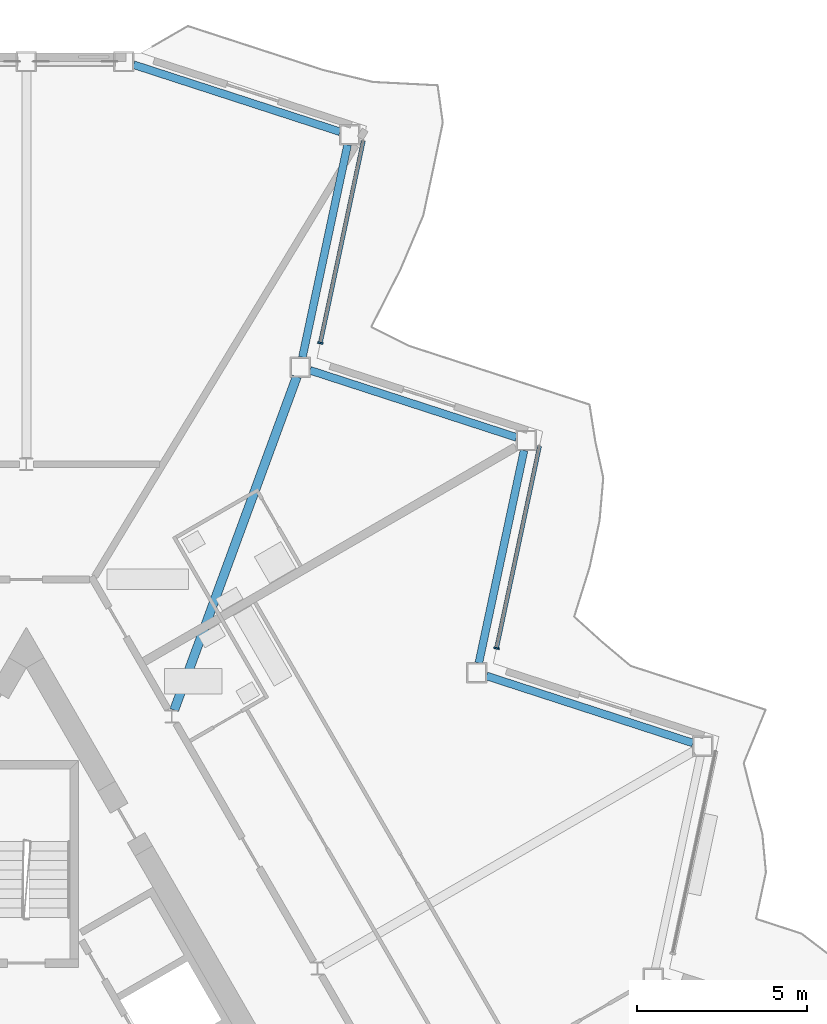
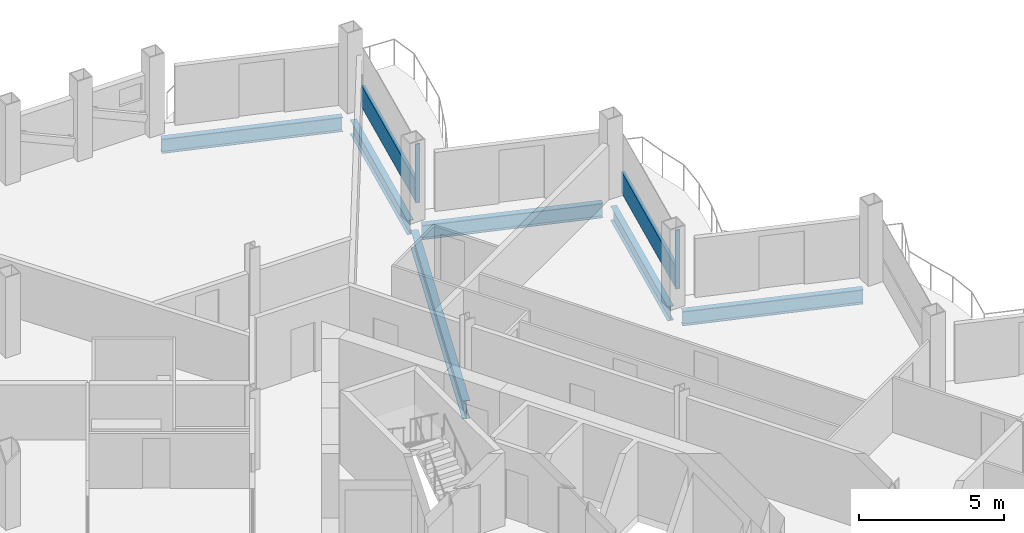
# One storey, part 11 of 27: 6 beams, 4 members, 2 elements without a shape of their own.
"""IFC4 building model written with IfcOpenShell, lengths in metres."""

import ifcopenshell
import ifcopenshell.guid

model = None  # the IFC model being written
_history = None  # IfcOwnerHistory: only IFC2X3 demands one
_inside = {}  # id of a spatial element -> (the spatial element, [elements in it])
_under = {}  # id of a project, library or spatial element -> (it, [spatial elements below it])
_declared = {}  # id of a project -> (the project, [libraries it declares])
_typed = {}  # id of a type object -> (the type object, [elements of that type])
_made_of = {}  # id of a material, layer set ... -> (it, [elements and type objects made of it])


def new_model(schema):
    """Start an empty IFC model of exactly this schema.

    Asked for "IFC4X3", IfcOpenShell would pick the latest addendum, in which some entities
    have other attributes; the version numbers below select the first issue.
    IFC2X3 requires an IfcOwnerHistory on every rooted entity: one is made here for all.
    """
    global model, _history
    if schema == "IFC4X3":
        model = ifcopenshell.file(schema_version=(4, 3, 0, 0))
    else:
        model = ifcopenshell.file(schema=schema)
    _inside.clear()
    _under.clear()
    _declared.clear()
    _typed.clear()
    _made_of.clear()
    _history = None
    if model.schema == "IFC2X3":
        org = make("IfcOrganization", Name="unknown")
        user = make(
            "IfcPersonAndOrganization",
            ThePerson=make("IfcPerson", FamilyName="unknown"),
            TheOrganization=org,
        )
        app = make(
            "IfcApplication",
            ApplicationDeveloper=org,
            Version="unknown",
            ApplicationFullName="unknown",
            ApplicationIdentifier="unknown",
        )
        _history = make(
            "IfcOwnerHistory",
            OwningUser=user,
            OwningApplication=app,
            ChangeAction="ADDED",
            CreationDate=0,
        )
    return model


def make(cls, **values):
    """One entity of the class cls with the attributes given. An attribute that is None is left unset."""
    return model.create_entity(
        cls, **{name: value for name, value in values.items() if value is not None}
    )


def rooted(cls, **values):
    """An entity with a GlobalId (a new one), such as an element, a storey or a relation."""
    return make(cls, GlobalId=ifcopenshell.guid.new(), OwnerHistory=_history, **values)


def si_unit(unit_type, name, prefix=None):
    """IfcSIUnit, for example si_unit("LENGTHUNIT", "METRE", prefix="MILLI")."""
    return make("IfcSIUnit", UnitType=unit_type, Prefix=prefix, Name=name)


def assignment(units):
    """IfcUnitAssignment: the units of a project."""
    return None if units is None else make("IfcUnitAssignment", Units=units)


def point(xyz):
    """IfcCartesianPoint."""
    return None if xyz is None else make("IfcCartesianPoint", Coordinates=xyz)


def direction(xyz):
    """IfcDirection."""
    return None if xyz is None else make("IfcDirection", DirectionRatios=xyz)


def frame(location, z_axis=None, x_axis=None):
    """IfcAxis2Placement3D, a coordinate frame: its origin and axes. An axis left out is left unset."""
    return make(
        "IfcAxis2Placement3D",
        Location=point(location),
        Axis=direction(z_axis),
        RefDirection=direction(x_axis),
    )


def frame_2d(location, x_axis=None):
    """IfcAxis2Placement2D, a coordinate frame in the plane: its origin and x axis."""
    return make(
        "IfcAxis2Placement2D", Location=point(location), RefDirection=direction(x_axis)
    )


def origin():
    """The frame at (0, 0, 0) with its axes left unset."""
    return frame((0.0, 0.0, 0.0))


def origin_2d():
    """The frame at (0, 0) in the plane with its x axis left unset."""
    return frame_2d((0.0, 0.0))


def place(relative_to, where):
    """IfcLocalPlacement: puts the frame where relative to a parent placement (None: the world)."""
    return make(
        "IfcLocalPlacement", PlacementRelTo=relative_to, RelativePlacement=where
    )


def context(
    kind, dimensions, precision=None, world=None, true_north=None, identifier=None
):
    """IfcGeometricRepresentationContext, for example the 3D "Model" context."""
    return make(
        "IfcGeometricRepresentationContext",
        ContextIdentifier=identifier,
        ContextType=kind,
        CoordinateSpaceDimension=dimensions,
        Precision=precision,
        WorldCoordinateSystem=world,
        TrueNorth=true_north,
    )


def subcontext(parent, identifier, kind, view, scale=None):
    """IfcGeometricRepresentationSubContext, for example "Body" below "Model"."""
    return make(
        "IfcGeometricRepresentationSubContext",
        ContextIdentifier=identifier,
        ContextType=kind,
        ParentContext=parent,
        TargetScale=scale,
        TargetView=view,
    )


def project(units=None, contexts=None):
    """IfcProject with its units and contexts."""
    return rooted(
        "IfcProject",
        Name="project",
        RepresentationContexts=contexts,
        UnitsInContext=assignment(units),
    )


def spatial(cls, under=None, at=None, **own):
    """A site, building, storey or space (cls), placed at a placement, below another one or the project."""
    s = rooted(cls, ObjectPlacement=at, **own)
    if under is not None:
        _under.setdefault(under.id(), (under, []))[1].append(s)
    return s


def profile(cls, at=None, kind="AREA", **sizes):
    """A parametric profile (cls). Its sizes go by their IFC names, for example OverallWidth=200.0."""
    return make(cls, ProfileType=kind, Position=at, **sizes)


def rectangle(**sizes):
    """IfcRectangleProfileDef."""
    return profile("IfcRectangleProfileDef", **sizes)


def i_section(**sizes):
    """IfcIShapeProfileDef."""
    return profile("IfcIShapeProfileDef", **sizes)


def extrude(swept, where, along, depth):
    """IfcExtrudedAreaSolid: the profile swept, set in the frame where, extruded along a direction by depth."""
    return make(
        "IfcExtrudedAreaSolid",
        SweptArea=swept,
        Position=where,
        ExtrudedDirection=direction(along),
        Depth=depth,
    )


def shape(context_of_items, identifier, shape_type, items):
    """IfcShapeRepresentation: the items that make up one representation, for example the "Body"."""
    return make(
        "IfcShapeRepresentation",
        ContextOfItems=context_of_items,
        RepresentationIdentifier=identifier,
        RepresentationType=shape_type,
        Items=items,
    )


def material(Name=None, Category=None):
    """IfcMaterial."""
    return make("IfcMaterial", Name=Name, Category=Category)


def layer(
    of_material, thickness, ventilated=None, Name=None, Category=None, Priority=None
):
    """IfcMaterialLayer: one layer of a wall or slab, of a material (None: an air gap)."""
    return make(
        "IfcMaterialLayer",
        Material=of_material,
        LayerThickness=thickness,
        IsVentilated=ventilated,
        Name=Name,
        Category=Category,
        Priority=Priority,
    )


def layer_set(layers, Name=None):
    """IfcMaterialLayerSet."""
    return make("IfcMaterialLayerSet", MaterialLayers=layers, LayerSetName=Name)


def material_profile(
    of_material, cross_section, Name=None, Category=None, Priority=None
):
    """IfcMaterialProfile: a cross section and its material."""
    return make(
        "IfcMaterialProfile",
        Name=Name,
        Material=of_material,
        Profile=cross_section,
        Priority=Priority,
        Category=Category,
    )


def profile_set(profiles, Name=None, composite=None):
    """IfcMaterialProfileSet."""
    return make(
        "IfcMaterialProfileSet",
        Name=Name,
        MaterialProfiles=profiles,
        CompositeProfile=composite,
    )


def made_of(thing, what):
    """Note that an element or type object is made of a material, layer set ...; save() writes the relation."""
    if what is not None:
        _made_of.setdefault(what.id(), (what, []))[1].append(thing)
    return thing


def type_object(cls, material=None, **own):
    """A type object (cls), such as IfcWallType, which elements share."""
    return made_of(rooted(cls, **own), material)


def element(
    cls,
    number,
    at=None,
    inside=None,
    cuts=None,
    type_object=None,
    material=None,
    context=None,
    identifier="Body",
    shape_type=None,
    held_by="IfcProductDefinitionShape",
    body=None,
    shapes=None,
    **own,
):
    """One element of the class cls, such as IfcWall. Its Tag is "e" and its number.

    at: its placement. inside: the storey or other place that contains it. cuts: it is an
    opening in that element (IfcRelVoidsElement). A single representation is given by context,
    identifier, shape_type and body (its items); several are given by shapes. held_by: the class
    of the entity that holds the representations. save() writes the other relations.
    """
    e = rooted(cls, Tag="e%d" % number, ObjectPlacement=at, **own)
    if body is not None:
        shapes = [shape(context, identifier, shape_type, body)]
    if shapes is not None:
        e.Representation = make(held_by, Representations=shapes)
    if inside is not None:
        _inside.setdefault(inside.id(), (inside, []))[1].append(e)
    if cuts is not None:
        rooted(
            "IfcRelVoidsElement", RelatingBuildingElement=cuts, RelatedOpeningElement=e
        )
    if type_object is not None:
        _typed.setdefault(type_object.id(), (type_object, []))[1].append(e)
    return made_of(e, material)


def aggregate(whole, parts):
    """IfcRelAggregates: a whole, such as a stair, and the parts it consists of."""
    return rooted("IfcRelAggregates", RelatingObject=whole, RelatedObjects=parts)


def save(model, path):
    """Write the relations noted so far, then the file.

    IfcRelAggregates (storeys below a building ...), IfcRelContainedInSpatialStructure (elements
    in a storey), IfcRelDefinesByType, IfcRelAssociatesMaterial and IfcRelDeclares: one each for
    every whole, place, type object, material and project.
    """
    for whole, parts in _under.values():
        aggregate(whole, parts)
    for where, things in _inside.values():
        rooted(
            "IfcRelContainedInSpatialStructure",
            RelatedElements=things,
            RelatingStructure=where,
        )
    for kind, things in _typed.values():
        rooted("IfcRelDefinesByType", RelatedObjects=things, RelatingType=kind)
    for what, things in _made_of.values():
        rooted("IfcRelAssociatesMaterial", RelatedObjects=things, RelatingMaterial=what)
    for by, libraries in _declared.values():
        rooted("IfcRelDeclares", RelatingContext=by, RelatedDefinitions=libraries)
    model.write(path)


model = new_model("IFC4")

# Units and contexts
model_context = context("Model", 3, precision=1e-05, world=origin(), true_north=direction((0.0, 1.0)))
body_context = subcontext(model_context, "Body", "Model", "MODEL_VIEW")
ifc_project = project(units=[si_unit("LENGTHUNIT", "METRE"), si_unit("AREAUNIT", "SQUARE_METRE"), si_unit("VOLUMEUNIT", "CUBIC_METRE"), si_unit("PLANEANGLEUNIT", "RADIAN"), si_unit("MASSUNIT", "GRAM", prefix="KILO")], contexts=[model_context])

# Site, building, storey
site_placement = place(None, origin())
site = spatial("IfcSite", under=ifc_project, at=site_placement, CompositionType="ELEMENT")
building_placement = place(site_placement, origin())
building = spatial("IfcBuilding", under=site, at=building_placement, Name="Cormorant Prow Tower", CompositionType="ELEMENT")
storey_placement = place(building_placement, frame((0.0, 0.0, 315.39990234375)))
storey = spatial("IfcBuildingStorey", under=building, at=storey_placement, Name="L69", CompositionType="ELEMENT", Elevation=315.39990234375)

# Beam
ifc_material_1 = material(Name="Structural steel ASTM A992 Gr 50", Category="steel")
ifc_material_profile_1 = material_profile(ifc_material_1, i_section(OverallWidth=0.267822265625, OverallDepth=0.77001953125, WebThickness=0.015625, FlangeThickness=0.025390625, at=origin_2d()), Name="W30x132")
ifc_profile_set_1 = profile_set([ifc_material_profile_1], Name="Structural steel ASTM A992 Gr 50")
beam_type_1 = type_object("IfcBeamType", Name="Radial floor beam W30x132", PredefinedType="BEAM", material=ifc_profile_set_1)
beam_1_placement = place(storey_placement, frame((4.357421875, 12.5673828125, -0.684814453125), z_axis=(0.345131226703, 0.938554439739, 0.0), x_axis=(-0.938554439739, 0.345131226703, 0.0)))
element("IfcBeam", 1, at=beam_1_placement, inside=storey, type_object=beam_type_1, Name="Radial floor beam FB3 12 L69", PredefinedType="BEAM", context=body_context, shape_type="SweptSolid", body=[
    extrude(i_section(OverallWidth=0.267822265625, OverallDepth=0.77001953125, WebThickness=0.015625, FlangeThickness=0.025390625, at=origin_2d()), origin(), (0.0, 0.0, 1.0), 10.465087890625),
])

# Curtain wall, member
ifc_material_2 = material(Name="Aluminium 6063-T6", Category="aluminium")
ifc_layer = layer(ifc_material_2, 0.159912109375)
ifc_layer_set = layer_set([ifc_layer], Name="Aluminium 6063-T6")
curtain_wall_type = type_object("IfcCurtainWallType", Name="Residential unitised curtain wall 160", PredefinedType="NOTDEFINED", material=ifc_layer_set)
curtain_wall_1_placement = place(storey_placement, origin())
curtain_wall_1 = element("IfcCurtainWall", 2, at=curtain_wall_1_placement, inside=storey, type_object=curtain_wall_type, Name="Residential curtain wall ENE06", PredefinedType="NOTDEFINED")
ifc_material_3 = material(Name="Aluminium 6063-T6", Category="aluminium")
ifc_material_profile_2 = material_profile(ifc_material_3, rectangle(XDim=0.159912109375, YDim=0.050048828125, at=origin_2d()), Name="Residential mullion 50x160")
ifc_profile_set_2 = profile_set([ifc_material_profile_2], Name="Aluminium 6063-T6")
member_type_1 = type_object("IfcMemberType", Name="Residential mullion 50x160", PredefinedType="MULLION", material=ifc_profile_set_2)
member_1_placement = place(storey_placement, frame((13.855224609375, 14.389404296875, 0.0), z_axis=(0.0, 0.0, 1.0), x_axis=(-0.978147586048, 0.207911759908, 0.0)))
member_1 = element("IfcMember", 3, at=member_1_placement, type_object=member_type_1, Name="Residential mullion ENE06", PredefinedType="MULLION", context=body_context, shape_type="SweptSolid", body=[
    extrude(rectangle(XDim=0.159912109375, YDim=0.050048828125, at=origin_2d()), origin(), (0.0, 0.0, 1.0), 2.488037109375),
])

curtain_wall_2_placement = place(storey_placement, origin())
curtain_wall_2 = element("IfcCurtainWall", 4, at=curtain_wall_2_placement, inside=storey, type_object=curtain_wall_type, Name="Residential curtain wall ENE08", PredefinedType="NOTDEFINED")
member_2_placement = place(storey_placement, frame((8.662353515625, 23.383544921875, 0.0), z_axis=(0.0, 0.0, 1.0), x_axis=(-0.978147615151, 0.207911622991, 0.0)))
member_2 = element("IfcMember", 5, at=member_2_placement, type_object=member_type_1, Name="Residential mullion ENE08", PredefinedType="MULLION", context=body_context, shape_type="SweptSolid", body=[
    extrude(rectangle(XDim=0.159912109375, YDim=0.050048828125, at=origin_2d()), origin(), (0.0, 0.0, 1.0), 2.488037109375),
])

# Member
ifc_material_4 = material(Name="Terracotta", Category="masonry")
ifc_material_profile_3 = material_profile(ifc_material_4, rectangle(XDim=0.1201171875, YDim=0.89990234375, at=origin_2d()), Name="Residential terracotta spandrel rail 120x900")
ifc_profile_set_3 = profile_set([ifc_material_profile_3], Name="Terracotta")
member_type_2 = type_object("IfcMemberType", Name="Residential terracotta spandrel rail 120x900", PredefinedType="USERDEFINED", material=ifc_profile_set_3)
member_3_placement = place(storey_placement, frame((13.8603515625, 14.413818359375, 0.4501953125), z_axis=(0.207913597079, 0.978147195544, 0.0), x_axis=(-0.978147195544, 0.207913597079, 0.0)))
member_3 = element("IfcMember", 6, at=member_3_placement, type_object=member_type_2, Name="Residential spandrel rail ENE06", ObjectType="TRANSOM", PredefinedType="USERDEFINED", context=body_context, shape_type="SweptSolid", body=[
    extrude(rectangle(XDim=0.1201171875, YDim=0.89990234375, at=origin_2d()), origin(), (0.0, 0.0, 1.0), 6.069580078125),
])

aggregate(curtain_wall_1, [member_1, member_3])

member_4_placement = place(storey_placement, frame((8.667724609375, 23.407958984375, 0.4501953125), z_axis=(0.207913597079, 0.978147195544, 0.0), x_axis=(-0.978147195544, 0.207913597079, 0.0)))
member_4 = element("IfcMember", 7, at=member_4_placement, type_object=member_type_2, Name="Residential spandrel rail ENE08", ObjectType="TRANSOM", PredefinedType="USERDEFINED", context=body_context, shape_type="SweptSolid", body=[
    extrude(rectangle(XDim=0.1201171875, YDim=0.89990234375, at=origin_2d()), origin(), (0.0, 0.0, 1.0), 6.069580078125),
])

aggregate(curtain_wall_2, [member_2, member_4])

# Beams
ifc_material_5 = material(Name="Structural steel ASTM A992 Gr 50", Category="steel")
ifc_material_profile_4 = material_profile(ifc_material_5, i_section(OverallWidth=0.22900390625, OverallDepth=0.612060546875, WebThickness=0.011962890625, FlangeThickness=0.01953125, at=origin_2d()), Name="W24x84")
ifc_profile_set_4 = profile_set([ifc_material_profile_4], Name="Structural steel ASTM A992 Gr 50")
beam_type_2 = type_object("IfcBeamType", Name="Spandrel beam W24x84", PredefinedType="SPANDREL", material=ifc_profile_set_4)
for number, where, z_axis, x_axis, name in (
    (8, (19.640380859375, 11.5966796875, -0.60595703125), (-0.95105314132, 0.309027381286, 0.0), (-0.309027381286, -0.95105314132, 0.0), "Spandrel beam SB3 ENE05-ENE06 L69"),
    (9, (13.334228515625, 13.95947265625, -0.60595703125), (0.207920386839, 0.978145752297, 0.0), (-0.978145752297, 0.207920386839, 0.0), "Spandrel beam SB3 ENE06-ENE07 L69"),
    (10, (14.441162109375, 20.601806640625, -0.60595703125), (-0.95105314132, 0.309027381286, 0.0), (-0.309027381286, -0.95105314132, 0.0), "Spandrel beam SB3 ENE07-ENE08 L69"),
):
    element("IfcBeam", number, at=place(storey_placement, frame(where, z_axis=z_axis, x_axis=x_axis)), inside=storey, type_object=beam_type_2, Name=name, PredefinedType="SPANDREL", context=body_context, shape_type="SweptSolid", body=[
        extrude(i_section(OverallWidth=0.22900390625, OverallDepth=0.612060546875, WebThickness=0.011962890625, FlangeThickness=0.01953125, at=origin_2d()), origin(), (0.0, 0.0, 1.0), 6.39599609375),
    ])
beam_2_placement = place(storey_placement, frame((8.13525390625, 22.96435546875, -0.60595703125), z_axis=(0.20791262393, 0.978147402394, 0.0), x_axis=(-0.978147402394, 0.20791262393, 0.0)))
element("IfcBeam", 11, at=beam_2_placement, inside=storey, type_object=beam_type_2, Name="Spandrel beam SB3 ENE08-ENE09 L69", PredefinedType="SPANDREL", context=body_context, shape_type="SweptSolid", body=[
    extrude(i_section(OverallWidth=0.22900390625, OverallDepth=0.612060546875, WebThickness=0.011962890625, FlangeThickness=0.01953125, at=origin_2d()), origin(), (0.0, 0.0, 1.0), 6.396240234375),
])
beam_3_placement = place(storey_placement, frame((9.2421875, 29.60693359375, -0.60595703125), z_axis=(-0.951064359156, 0.308992855489, 0.0), x_axis=(-0.308992855489, -0.951064359156, 0.0)))
element("IfcBeam", 12, at=beam_3_placement, inside=storey, type_object=beam_type_2, Name="Spandrel beam SB3 ENE09-N00 L69", PredefinedType="SPANDREL", context=body_context, shape_type="SweptSolid", body=[
    extrude(i_section(OverallWidth=0.22900390625, OverallDepth=0.612060546875, WebThickness=0.011962890625, FlangeThickness=0.01953125, at=origin_2d()), origin(), (0.0, 0.0, 1.0), 6.39599609375),
])

save(model, "model.ifc")
